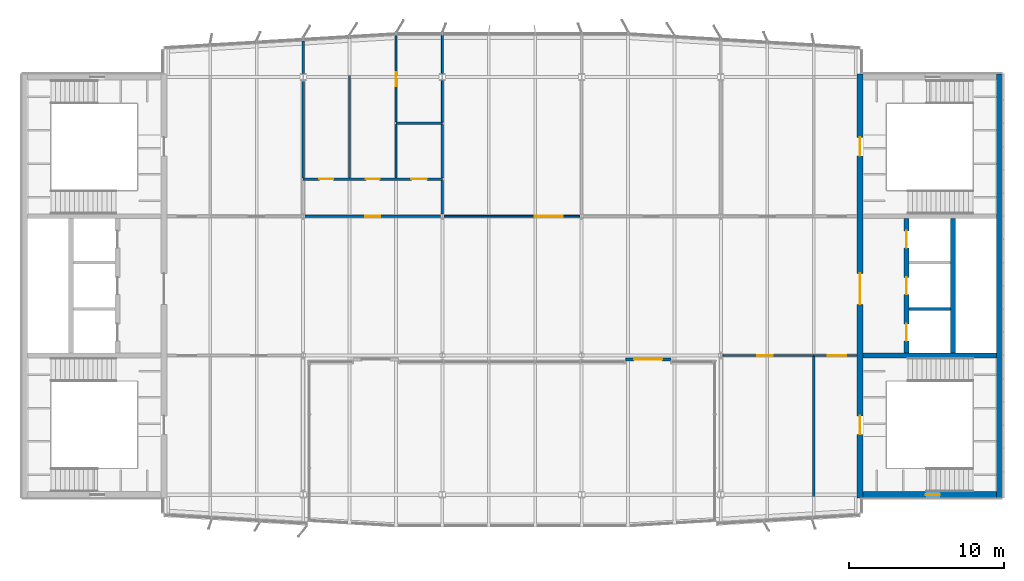
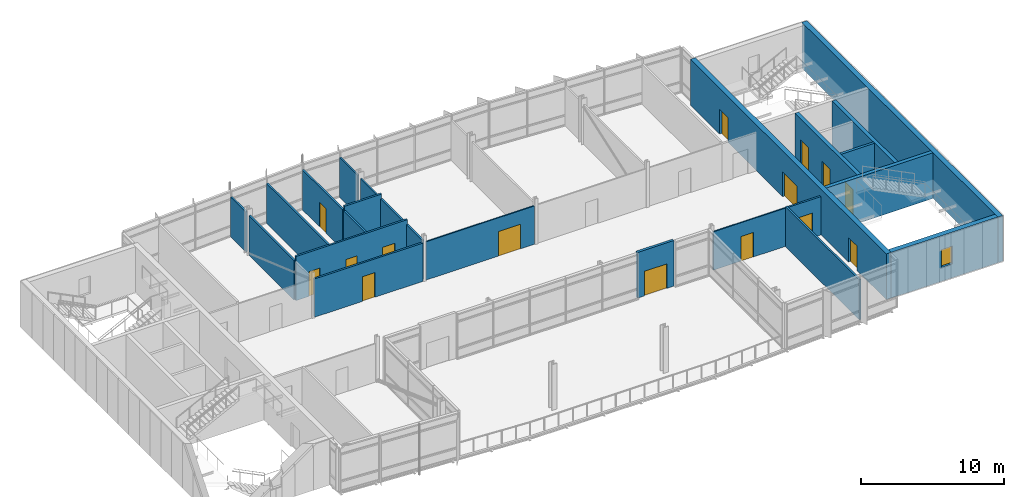
# One storey, part 13 of 19: 24 walls, 15 doors, 1 window, 16 openings.
"""IFC4 building model written with IfcOpenShell, lengths in metres."""

from ifc_helpers import new_model, si_unit, direction, frame, frame_2d, origin, place, context, subcontext, project, spatial, rectangle, extrude, material, layer, layer_set, type_object, element, fill, save


model = new_model("IFC4")

# Units and contexts
model_context = context("Model", 3, precision=1e-05, world=origin(), true_north=direction((0.0, 1.0)))
body_context = subcontext(model_context, "Body", "Model", "MODEL_VIEW")
ifc_project = project(units=[si_unit("LENGTHUNIT", "METRE"), si_unit("AREAUNIT", "SQUARE_METRE"), si_unit("VOLUMEUNIT", "CUBIC_METRE"), si_unit("PLANEANGLEUNIT", "RADIAN"), si_unit("MASSUNIT", "GRAM", prefix="KILO")], contexts=[model_context])

# Site, building, storey
site_placement = place(None, origin())
site = spatial("IfcSite", under=ifc_project, at=site_placement, CompositionType="ELEMENT")
building_placement = place(site_placement, origin())
building = spatial("IfcBuilding", under=site, at=building_placement, Name="Azimuth Sports and Learning Centre", CompositionType="ELEMENT")
storey_placement = place(building_placement, frame((0.0, 0.0, 67.5)))
storey = spatial("IfcBuildingStorey", under=building, at=storey_placement, Name="L15", CompositionType="ELEMENT", Elevation=67.5)

# Wall
ifc_material_1 = material(Name="Dense masonry blockwork", Category="masonry")
ifc_layer_1 = layer(ifc_material_1, 0.199951171875)
ifc_layer_set_1 = layer_set([ifc_layer_1], Name="Dense masonry blockwork")
wall_type_1 = type_object("IfcWallType", Name="Blockwork wall 200 EI 120", PredefinedType="SOLIDWALL", material=ifc_layer_set_1)
wall_1_placement = place(storey_placement, frame((111.14990234375, 102.0, 0.0), z_axis=(0.0, 0.0, 1.0), x_axis=(1.0, 0.0, 0.0)))
element("IfcWall", 1, at=wall_1_placement, inside=storey, type_object=wall_type_1, Name="SD-E-1-L15", PredefinedType="SOLIDWALL", context=body_context, shape_type="SweptSolid", body=[
    extrude(rectangle(XDim=2.7001953125, YDim=0.199951171875, at=frame_2d((1.35009765625, 0.0))), origin(), (0.0, 0.0, 1.0), 3.89990234375),
])

# Wall, opening, door
ifc_material_2 = material(Name="Insulated cladding wall")
ifc_layer_2 = layer(ifc_material_2, 0.199951171875)
ifc_layer_set_2 = layer_set([ifc_layer_2], Name="Insulated cladding wall")
wall_type_2 = type_object("IfcWallType", Name="Entrance wall 200", PredefinedType="SOLIDWALL", material=ifc_layer_set_2)
wall_2_placement = place(storey_placement, frame((92.833251953125, 98.75, 0.0), z_axis=(0.0, 0.0, 1.0), x_axis=(1.0, 0.0, 0.0)))
wall_2 = element("IfcWall", 2, at=wall_2_placement, inside=storey, type_object=wall_type_2, Name="Entrance wall S-COURT-B L15", PredefinedType="SOLIDWALL", context=body_context, shape_type="SweptSolid", body=[
    extrude(rectangle(XDim=2.933349609375, YDim=0.199951171875, at=frame_2d((1.466796875, 0.0))), origin(), (0.0, 0.0, 1.0), 3.89990234375),
])
opening_1_placement = place(wall_2_placement, frame((0.566650390625, 0.0, 0.0)))
opening_1 = element("IfcOpeningElement", 3, at=opening_1_placement, cuts=wall_2, Name="Opening D15-002", PredefinedType="OPENING", context=body_context, shape_type="SweptSolid", body=[
    extrude(rectangle(XDim=1.800048828125, YDim=2.10009765625, at=frame_2d((0.89990234375, 1.050048828125))), frame((0.0, 0.11083984375, 0.0), z_axis=(0.0, -1.0, 0.0), x_axis=(1.0, 0.0, 0.0)), (0.0, 0.0, 1.0), 0.221923828125),
])
ifc_material_3 = material(Name="Aluminium and glass", Category="aluminium")
door_type_1 = type_object("IfcDoorType", Name="Exterior door double leaf 1800x2100", OperationType="DOUBLE_DOOR_DOUBLE_SWING", PredefinedType="DOOR", material=ifc_material_3)
door_1_placement = place(opening_1_placement, frame((1.800048828125, 0.0, 0.0), z_axis=(0.0, 0.0, 1.0), x_axis=(-1.0, 0.0, 0.0)))
door_1 = element("IfcDoor", 4, at=door_1_placement, inside=storey, type_object=door_type_1, Name="Exterior door D15-002", OperationType="DOUBLE_DOOR_DOUBLE_SWING", OverallHeight=2.10009765625, OverallWidth=1.800048828125, PredefinedType="DOOR", context=body_context, shape_type="SweptSolid", body=[
    extrude(rectangle(XDim=1.800048828125, YDim=2.10009765625, at=frame_2d((0.89990234375, 1.050048828125))), frame((0.0, 0.02490234375, 0.0), z_axis=(0.0, -1.0, 0.0), x_axis=(1.0, 0.0, 0.0)), (0.0, 0.0, 1.0), 0.050048828125),
])
fill(opening_1, door_1)

ifc_material_4 = material(Name="Gypsum board on steel studs", Category="steel")
ifc_layer_3 = layer(ifc_material_4, 0.10009765625)
ifc_layer_set_3 = layer_set([ifc_layer_3], Name="Gypsum board on steel studs")
wall_type_3 = type_object("IfcWallType", Name="Partition 100 EI 30", PredefinedType="PARTITIONING", material=ifc_layer_set_3)
wall_3_placement = place(storey_placement, frame((99.1298828125, 99.0, 0.0), z_axis=(0.0, 0.0, 1.0), x_axis=(1.0, 0.0, 0.0)))
wall_3 = element("IfcWall", 5, at=wall_3_placement, inside=storey, type_object=wall_type_3, Name="Partition Seminar Room 15.08 / Learning Street", PredefinedType="PARTITIONING", context=body_context, shape_type="SweptSolid", body=[
    extrude(rectangle(XDim=5.8701171875, YDim=0.10009765625, at=frame_2d((2.93505859375, 0.0))), origin(), (0.0, 0.0, 1.0), 3.27001953125),
])
opening_2_placement = place(wall_3_placement, frame((2.219970703125, 0.0, 0.0)))
opening_2 = element("IfcOpeningElement", 6, at=opening_2_placement, cuts=wall_3, Name="Opening D15-018", PredefinedType="OPENING", context=body_context, shape_type="SweptSolid", body=[
    extrude(rectangle(XDim=1.0, YDim=2.10009765625, at=frame_2d((0.5, 1.050048828125))), frame((0.0, 0.06103515625, 0.0), z_axis=(0.0, -1.0, 0.0), x_axis=(1.0, 0.0, 0.0)), (0.0, 0.0, 1.0), 0.1220703125),
])
ifc_material_5 = material(Name="Painted steel door set", Category="steel")
door_type_2 = type_object("IfcDoorType", Name="Fire door FD30S 1000 x 2100", OperationType="NOTDEFINED", PredefinedType="DOOR", material=ifc_material_5)
door_2_placement = place(opening_2_placement, frame((1.0, 0.0, 0.0), z_axis=(0.0, 0.0, 1.0), x_axis=(-1.0, 0.0, 0.0)))
door_2 = element("IfcDoor", 7, at=door_2_placement, inside=storey, type_object=door_type_2, Name="Door Seminar Room 15.08 / Learning Street", OperationType="SINGLE_SWING_RIGHT", OverallHeight=2.10009765625, OverallWidth=1.0, PredefinedType="DOOR", context=body_context, shape_type="SweptSolid", body=[
    extrude(rectangle(XDim=1.0, YDim=2.10009765625, at=frame_2d((0.5, 1.050048828125))), frame((0.0, 0.02490234375, 0.0), z_axis=(0.0, -1.0, 0.0), x_axis=(1.0, 0.0, 0.0)), (0.0, 0.0, 1.0), 0.050048828125),
])
fill(opening_2, door_2)

wall_4_placement = place(storey_placement, frame((81.1298828125, 108.0, 0.0), z_axis=(0.0, 0.0, 1.0), x_axis=(1.0, 0.0, 0.0)))
wall_4 = element("IfcWall", 8, at=wall_4_placement, inside=storey, type_object=wall_type_3, Name="Partition Sixth Form Seminar Room 15.15 / Quiet Study Room 15.16", PredefinedType="PARTITIONING", context=body_context, shape_type="SweptSolid", body=[
    extrude(rectangle(XDim=8.740234375, YDim=0.10009765625, at=frame_2d((4.3701171875, 0.0))), origin(), (0.0, 0.0, 1.0), 3.27001953125),
])
opening_3_placement = place(wall_4_placement, frame((5.844970703125, 0.0, 0.0)))
opening_3 = element("IfcOpeningElement", 9, at=opening_3_placement, cuts=wall_4, Name="Opening D15-021", PredefinedType="OPENING", context=body_context, shape_type="SweptSolid", body=[
    extrude(rectangle(XDim=1.800048828125, YDim=2.10009765625, at=frame_2d((0.89990234375, 1.050048828125))), frame((0.0, 0.06103515625, 0.0), z_axis=(0.0, -1.0, 0.0), x_axis=(1.0, 0.0, 0.0)), (0.0, 0.0, 1.0), 0.1220703125),
])
ifc_material_6 = material(Name="Painted steel door set", Category="steel")
door_type_3 = type_object("IfcDoorType", Name="Fire door FD30S 1800 x 2100 double leaf", OperationType="DOUBLE_DOOR_SINGLE_SWING", PredefinedType="DOOR", material=ifc_material_6)
door_3_placement = place(opening_3_placement, origin())
door_3 = element("IfcDoor", 10, at=door_3_placement, inside=storey, type_object=door_type_3, Name="Door Sixth Form Seminar Room 15.15 / Learning Street", OperationType="DOUBLE_DOOR_SINGLE_SWING", OverallHeight=2.10009765625, OverallWidth=1.800048828125, PredefinedType="DOOR", context=body_context, shape_type="SweptSolid", body=[
    extrude(rectangle(XDim=1.800048828125, YDim=2.10009765625, at=frame_2d((0.89990234375, 1.050048828125))), frame((0.0, 0.02490234375, 0.0), z_axis=(0.0, -1.0, 0.0), x_axis=(1.0, 0.0, 0.0)), (0.0, 0.0, 1.0), 0.050048828125),
])
fill(opening_3, door_3)

# Walls
ifc_material_7 = material(Name="Gypsum board on steel studs, acoustic", Category="steel")
ifc_layer_4 = layer(ifc_material_7, 0.125)
ifc_layer_set_4 = layer_set([ifc_layer_4], Name="Gypsum board on steel studs, acoustic")
wall_type_4 = type_object("IfcWallType", Name="Partition 125 EI 60", PredefinedType="PARTITIONING", material=ifc_layer_set_4)
wall_5_placement = place(storey_placement, frame((81.0, 114.074951171875, 0.0), z_axis=(0.0, 0.0, 1.0), x_axis=(0.0, 1.0, 0.0)))
element("IfcWall", 11, at=wall_5_placement, inside=storey, type_object=wall_type_4, Name="Partition Cleaner Store 15.14 / Sixth Form Seminar Room 15.15", PredefinedType="PARTITIONING", context=body_context, shape_type="SweptSolid", body=[
    extrude(rectangle(XDim=2.70751953125, YDim=0.125, at=frame_2d((1.353759765625, 0.0))), origin(), (0.0, 0.0, 1.0), 3.3701171875),
])
wall_6_placement = place(storey_placement, frame((81.0, 117.217529296875, 0.0), z_axis=(0.0, 0.0, 1.0), x_axis=(0.0, 1.0, 0.0)))
element("IfcWall", 12, at=wall_6_placement, inside=storey, type_object=wall_type_4, Name="Partition Cleaner Store 15.14 / Sixth Form Seminar Room 15.15", PredefinedType="PARTITIONING", context=body_context, shape_type="SweptSolid", body=[
    extrude(rectangle(XDim=2.482421875, YDim=0.125, at=frame_2d((1.2412109375, 0.0))), origin(), (0.0, 0.0, 1.0), 3.409912109375),
])

# Wall, opening, door
ifc_material_8 = material(Name="Lightweight blockwork, rendered", Category="masonry")
ifc_layer_5 = layer(ifc_material_8, 0.14990234375)
ifc_layer_set_5 = layer_set([ifc_layer_5], Name="Lightweight blockwork, rendered")
wall_type_5 = type_object("IfcWallType", Name="Partition 150 EI 60", PredefinedType="PARTITIONING", material=ifc_layer_set_5)
wall_7_placement = place(storey_placement, frame((105.0, 99.0, 0.0), z_axis=(0.0, 0.0, 1.0), x_axis=(1.0, 0.0, 0.0)))
wall_7 = element("IfcWall", 13, at=wall_7_placement, inside=storey, type_object=wall_type_5, Name="Partition Stair Lobby E1 15.03 / Learning Street", PredefinedType="PARTITIONING", context=body_context, shape_type="SweptSolid", body=[
    extrude(rectangle(XDim=2.800048828125, YDim=0.14990234375, at=frame_2d((1.39990234375, 0.0))), origin(), (0.0, 0.0, 1.0), 3.27001953125),
])
opening_4_placement = place(wall_7_placement, frame((0.89990234375, 0.0, 0.0)))
opening_4 = element("IfcOpeningElement", 14, at=opening_4_placement, cuts=wall_7, Name="Opening D15-015", PredefinedType="OPENING", context=body_context, shape_type="SweptSolid", body=[
    extrude(rectangle(XDim=1.199951171875, YDim=2.10009765625, at=frame_2d((0.60009765625, 1.050048828125))), frame((0.0, 0.0859375, 0.0), z_axis=(0.0, -1.0, 0.0), x_axis=(1.0, 0.0, 0.0)), (0.0, 0.0, 1.0), 0.171875),
])
ifc_material_9 = material(Name="Painted steel door set", Category="steel")
door_type_4 = type_object("IfcDoorType", Name="Fire door FD60 1200 x 2100", OperationType="NOTDEFINED", PredefinedType="DOOR", material=ifc_material_9)
door_4_placement = place(opening_4_placement, frame((1.199951171875, 0.0, 0.0), z_axis=(0.0, 0.0, 1.0), x_axis=(-1.0, 0.0, 0.0)))
door_4 = element("IfcDoor", 15, at=door_4_placement, inside=storey, type_object=door_type_4, Name="Door Stair Lobby E1 15.03 / Learning Street", OperationType="SINGLE_SWING_LEFT", OverallHeight=2.10009765625, OverallWidth=1.199951171875, PredefinedType="DOOR", context=body_context, shape_type="SweptSolid", body=[
    extrude(rectangle(XDim=1.199951171875, YDim=2.10009765625, at=frame_2d((0.60009765625, 1.050048828125))), frame((0.0, 0.02490234375, 0.0), z_axis=(0.0, -1.0, 0.0), x_axis=(1.0, 0.0, 0.0)), (0.0, 0.0, 1.0), 0.050048828125),
])
fill(opening_4, door_4)

wall_8_placement = place(storey_placement, frame((72.1298828125, 108.0, 0.0), z_axis=(0.0, 0.0, 1.0), x_axis=(1.0, 0.0, 0.0)))
wall_8 = element("IfcWall", 16, at=wall_8_placement, inside=storey, type_object=wall_type_5, Name="Partition WC Lobby 15.10 / Learning Street", PredefinedType="PARTITIONING", context=body_context, shape_type="SweptSolid", body=[
    extrude(rectangle(XDim=8.740234375, YDim=0.14990234375, at=frame_2d((4.3701171875, 0.0))), origin(), (0.0, 0.0, 1.0), 3.27001953125),
])
opening_5_placement = place(wall_8_placement, frame((3.8701171875, 0.0, 0.0)))
opening_5 = element("IfcOpeningElement", 17, at=opening_5_placement, cuts=wall_8, Name="Opening D15-020", PredefinedType="OPENING", context=body_context, shape_type="SweptSolid", body=[
    extrude(rectangle(XDim=1.0, YDim=2.10009765625, at=frame_2d((0.5, 1.050048828125))), frame((0.0, 0.0859375, 0.0), z_axis=(0.0, -1.0, 0.0), x_axis=(1.0, 0.0, 0.0)), (0.0, 0.0, 1.0), 0.171875),
])
ifc_material_10 = material(Name="Painted steel door set", Category="steel")
door_type_5 = type_object("IfcDoorType", Name="Fire door FD60 1000 x 2100", OperationType="NOTDEFINED", PredefinedType="DOOR", material=ifc_material_10)
door_5_placement = place(opening_5_placement, origin())
door_5 = element("IfcDoor", 18, at=door_5_placement, inside=storey, type_object=door_type_5, Name="Door WC Lobby 15.10 / Learning Street", OperationType="SINGLE_SWING_LEFT", OverallHeight=2.10009765625, OverallWidth=1.0, PredefinedType="DOOR", context=body_context, shape_type="SweptSolid", body=[
    extrude(rectangle(XDim=1.0, YDim=2.10009765625, at=frame_2d((0.5, 1.050048828125))), frame((0.0, 0.02490234375, 0.0), z_axis=(0.0, -1.0, 0.0), x_axis=(1.0, 0.0, 0.0)), (0.0, 0.0, 1.0), 0.050048828125),
])
fill(opening_5, door_5)

# Wall, openings, doors
wall_9_placement = place(storey_placement, frame((72.0, 110.39990234375, 0.0), z_axis=(0.0, 0.0, 1.0), x_axis=(1.0, 0.0, 0.0)))
wall_9 = element("IfcWall", 19, at=wall_9_placement, inside=storey, type_object=wall_type_5, Name="Partition WC Lobby 15.10 / Men WC 15.11", PredefinedType="PARTITIONING", context=body_context, shape_type="SweptSolid", body=[
    extrude(rectangle(XDim=9.0, YDim=0.14990234375, at=frame_2d((4.5, 0.0))), origin(), (0.0, 0.0, 1.0), 3.77001953125),
])
opening_6_placement = place(wall_9_placement, frame((1.050048828125, 0.0, 0.0)))
opening_6 = element("IfcOpeningElement", 20, at=opening_6_placement, cuts=wall_9, Name="Opening D15-024", PredefinedType="OPENING", context=body_context, shape_type="SweptSolid", body=[
    extrude(rectangle(XDim=0.89990234375, YDim=2.10009765625, at=frame_2d((0.449951171875, 1.050048828125))), frame((0.0, 0.0859375, 0.0), z_axis=(0.0, -1.0, 0.0), x_axis=(1.0, 0.0, 0.0)), (0.0, 0.0, 1.0), 0.171875),
])
opening_7_placement = place(wall_9_placement, frame((4.050048828125, 0.0, 0.0)))
opening_7 = element("IfcOpeningElement", 21, at=opening_7_placement, cuts=wall_9, Name="Opening D15-025", PredefinedType="OPENING", context=body_context, shape_type="SweptSolid", body=[
    extrude(rectangle(XDim=0.89990234375, YDim=2.10009765625, at=frame_2d((0.449951171875, 1.050048828125))), frame((0.0, 0.0859375, 0.0), z_axis=(0.0, -1.0, 0.0), x_axis=(1.0, 0.0, 0.0)), (0.0, 0.0, 1.0), 0.171875),
])
opening_8_placement = place(wall_9_placement, frame((7.0, 0.0, 0.0)))
opening_8 = element("IfcOpeningElement", 22, at=opening_8_placement, cuts=wall_9, Name="Opening D15-026", PredefinedType="OPENING", context=body_context, shape_type="SweptSolid", body=[
    extrude(rectangle(XDim=1.0, YDim=2.10009765625, at=frame_2d((0.5, 1.050048828125))), frame((0.0, 0.0859375, 0.0), z_axis=(0.0, -1.0, 0.0), x_axis=(1.0, 0.0, 0.0)), (0.0, 0.0, 1.0), 0.171875),
])
door_6_placement = place(opening_8_placement, origin())
door_6 = element("IfcDoor", 23, at=door_6_placement, inside=storey, type_object=door_type_5, Name="Door WC Lobby 15.10 / Accessible WC 15.13", OperationType="SINGLE_SWING_LEFT", OverallHeight=2.10009765625, OverallWidth=1.0, PredefinedType="DOOR", context=body_context, shape_type="SweptSolid", body=[
    extrude(rectangle(XDim=1.0, YDim=2.10009765625, at=frame_2d((0.5, 1.050048828125))), frame((0.0, 0.02490234375, 0.0), z_axis=(0.0, -1.0, 0.0), x_axis=(1.0, 0.0, 0.0)), (0.0, 0.0, 1.0), 0.050048828125),
])
fill(opening_8, door_6)
ifc_material_11 = material(Name="Painted steel door set", Category="steel")
door_type_6 = type_object("IfcDoorType", Name="Fire door FD60 900 x 2100", OperationType="NOTDEFINED", PredefinedType="DOOR", material=ifc_material_11)
door_7_placement = place(opening_6_placement, frame((0.89990234375, 0.0, 0.0), z_axis=(0.0, 0.0, 1.0), x_axis=(-1.0, 0.0, 0.0)))
door_7 = element("IfcDoor", 24, at=door_7_placement, inside=storey, type_object=door_type_6, Name="Door WC Lobby 15.10 / Men WC 15.11", OperationType="SINGLE_SWING_RIGHT", OverallHeight=2.10009765625, OverallWidth=0.89990234375, PredefinedType="DOOR", context=body_context, shape_type="SweptSolid", body=[
    extrude(rectangle(XDim=0.89990234375, YDim=2.10009765625, at=frame_2d((0.449951171875, 1.050048828125))), frame((0.0, 0.02490234375, 0.0), z_axis=(0.0, -1.0, 0.0), x_axis=(1.0, 0.0, 0.0)), (0.0, 0.0, 1.0), 0.050048828125),
])
fill(opening_6, door_7)
door_8_placement = place(opening_7_placement, frame((0.89990234375, 0.0, 0.0), z_axis=(0.0, 0.0, 1.0), x_axis=(-1.0, 0.0, 0.0)))
door_8 = element("IfcDoor", 25, at=door_8_placement, inside=storey, type_object=door_type_6, Name="Door WC Lobby 15.10 / Women WC 15.12", OperationType="SINGLE_SWING_RIGHT", OverallHeight=2.10009765625, OverallWidth=0.89990234375, PredefinedType="DOOR", context=body_context, shape_type="SweptSolid", body=[
    extrude(rectangle(XDim=0.89990234375, YDim=2.10009765625, at=frame_2d((0.449951171875, 1.050048828125))), frame((0.0, 0.02490234375, 0.0), z_axis=(0.0, -1.0, 0.0), x_axis=(1.0, 0.0, 0.0)), (0.0, 0.0, 1.0), 0.050048828125),
])
fill(opening_7, door_8)

# Walls
wall_10_placement = place(storey_placement, frame((78.0, 114.0, 0.0), z_axis=(0.0, 0.0, 1.0), x_axis=(1.0, 0.0, 0.0)))
element("IfcWall", 26, at=wall_10_placement, inside=storey, type_object=wall_type_5, Name="Partition Accessible WC 15.13 / Cleaner Store 15.14", PredefinedType="PARTITIONING", context=body_context, shape_type="SweptSolid", body=[
    extrude(rectangle(XDim=3.0, YDim=0.14990234375, at=frame_2d((1.5, 0.0))), origin(), (0.0, 0.0, 1.0), 3.77001953125),
])
wall_11_placement = place(storey_placement, frame((72.0, 110.47509765625, 0.0), z_axis=(0.0, 0.0, 1.0), x_axis=(0.0, 1.0, 0.0)))
element("IfcWall", 27, at=wall_11_placement, inside=storey, type_object=wall_type_5, Name="Partition Classroom 15.09 / WC Lobby 15.10", PredefinedType="PARTITIONING", context=body_context, shape_type="SweptSolid", body=[
    extrude(rectangle(XDim=6.307373046875, YDim=0.14990234375, at=frame_2d((3.15380859375, 0.0))), origin(), (0.0, 0.0, 1.0), 3.3701171875),
])
wall_12_placement = place(storey_placement, frame((72.0, 117.217529296875, 0.0), z_axis=(0.0, 0.0, 1.0), x_axis=(0.0, 1.0, 0.0)))
element("IfcWall", 28, at=wall_12_placement, inside=storey, type_object=wall_type_5, Name="Partition Classroom 15.09 / WC Lobby 15.10", PredefinedType="PARTITIONING", context=body_context, shape_type="SweptSolid", body=[
    extrude(rectangle(XDim=2.12255859375, YDim=0.14990234375, at=frame_2d((1.061279296875, 0.0))), origin(), (0.0, 0.0, 1.0), 3.409912109375),
])
wall_13_placement = place(storey_placement, frame((75.0, 110.47509765625, 0.0), z_axis=(0.0, 0.0, 1.0), x_axis=(0.0, 1.0, 0.0)))
element("IfcWall", 29, at=wall_13_placement, inside=storey, type_object=wall_type_5, Name="Partition Men WC 15.11 / Women WC 15.12", PredefinedType="PARTITIONING", context=body_context, shape_type="SweptSolid", body=[
    extrude(rectangle(XDim=9.044921875, YDim=0.14990234375, at=frame_2d((4.5224609375, 0.0))), origin(), (0.0, 0.0, 1.0), 3.409912109375),
])
wall_14_placement = place(storey_placement, frame((78.0, 110.47509765625, 0.0), z_axis=(0.0, 0.0, 1.0), x_axis=(0.0, 1.0, 0.0)))
element("IfcWall", 30, at=wall_14_placement, inside=storey, type_object=wall_type_5, Name="Partition Women WC 15.12 / Accessible WC 15.13", PredefinedType="PARTITIONING", context=body_context, shape_type="SweptSolid", body=[
    extrude(rectangle(XDim=3.449951171875, YDim=0.14990234375, at=frame_2d((1.72509765625, 0.0))), origin(), (0.0, 0.0, 1.0), 3.409912109375),
])

# Wall, opening, door
wall_15_placement = place(storey_placement, frame((78.0, 114.074951171875, 0.0), z_axis=(0.0, 0.0, 1.0), x_axis=(0.0, 1.0, 0.0)))
wall_15 = element("IfcWall", 31, at=wall_15_placement, inside=storey, type_object=wall_type_5, Name="Partition Women WC 15.12 / Accessible WC 15.13", PredefinedType="PARTITIONING", context=body_context, shape_type="SweptSolid", body=[
    extrude(rectangle(XDim=5.625, YDim=0.14990234375, at=frame_2d((2.8125, 0.0))), origin(), (0.0, 0.0, 1.0), 3.409912109375),
])
opening_9_placement = place(wall_15_placement, frame((2.324951171875, 0.0, 0.0)))
opening_9 = element("IfcOpeningElement", 32, at=opening_9_placement, cuts=wall_15, Name="Opening D15-027", PredefinedType="OPENING", context=body_context, shape_type="SweptSolid", body=[
    extrude(rectangle(XDim=0.89990234375, YDim=2.10009765625, at=frame_2d((0.449951171875, 1.050048828125))), frame((0.0, 0.0859375, 0.0), z_axis=(0.0, -1.0, 0.0), x_axis=(1.0, 0.0, 0.0)), (0.0, 0.0, 1.0), 0.171875),
])
door_9_placement = place(opening_9_placement, frame((0.89990234375, 0.0, 0.0), z_axis=(0.0, 0.0, 1.0), x_axis=(-1.0, 0.0, 0.0)))
door_9 = element("IfcDoor", 33, at=door_9_placement, inside=storey, type_object=door_type_6, Name="Door Women WC 15.12 / Cleaner Store 15.14", OperationType="SINGLE_SWING_RIGHT", OverallHeight=2.10009765625, OverallWidth=0.89990234375, PredefinedType="DOOR", context=body_context, shape_type="SweptSolid", body=[
    extrude(rectangle(XDim=0.89990234375, YDim=2.10009765625, at=frame_2d((0.449951171875, 1.050048828125))), frame((0.0, 0.02490234375, 0.0), z_axis=(0.0, -1.0, 0.0), x_axis=(1.0, 0.0, 0.0)), (0.0, 0.0, 1.0), 0.050048828125),
])
fill(opening_9, door_9)

# Walls
wall_16_placement = place(storey_placement, frame((81.0, 108.1298828125, 0.0), z_axis=(0.0, 0.0, 1.0), x_axis=(0.0, 1.0, 0.0)))
element("IfcWall", 34, at=wall_16_placement, inside=storey, type_object=wall_type_5, Name="Partition WC Lobby 15.10 / Accessible WC 15.13", PredefinedType="PARTITIONING", context=body_context, shape_type="SweptSolid", body=[
    extrude(rectangle(XDim=2.195068359375, YDim=0.14990234375, at=frame_2d((1.09765625, 0.0))), origin(), (0.0, 0.0, 1.0), 3.3701171875),
])
wall_17_placement = place(storey_placement, frame((81.0, 110.47509765625, 0.0), z_axis=(0.0, 0.0, 1.0), x_axis=(0.0, 1.0, 0.0)))
element("IfcWall", 35, at=wall_17_placement, inside=storey, type_object=wall_type_5, Name="Partition WC Lobby 15.10 / Accessible WC 15.13", PredefinedType="PARTITIONING", context=body_context, shape_type="SweptSolid", body=[
    extrude(rectangle(XDim=3.449951171875, YDim=0.14990234375, at=frame_2d((1.72509765625, 0.0))), origin(), (0.0, 0.0, 1.0), 3.3701171875),
])
wall_18_placement = place(storey_placement, frame((105.0, 88.6201171875, 0.0), z_axis=(0.0, 0.0, 1.0), x_axis=(0.0, 1.0, 0.0)))
element("IfcWall", 36, at=wall_18_placement, inside=storey, type_object=wall_type_5, Name="Partition Stair Lobby E1 15.03 / Seminar Room 15.08", PredefinedType="PARTITIONING", context=body_context, shape_type="SweptSolid", body=[
    extrude(rectangle(XDim=10.304931640625, YDim=0.14990234375, at=frame_2d((5.15234375, 0.0))), origin(), (0.0, 0.0, 1.0), 3.409912109375),
])
ifc_material_12 = material(Name="Concrete C40/50", Category="concrete")
ifc_layer_6 = layer(ifc_material_12, 0.300048828125)
ifc_layer_set_6 = layer_set([ifc_layer_6], Name="Concrete C40/50")
wall_type_6 = type_object("IfcWallType", Name="RC core wall 300", PredefinedType="SHEAR", material=ifc_layer_set_6)
wall_19_placement = place(storey_placement, frame((108.199951171875, 99.0, 0.0), z_axis=(0.0, 0.0, 1.0), x_axis=(1.0, 0.0, 0.0)))
element("IfcWall", 37, at=wall_19_placement, inside=storey, type_object=wall_type_6, Name="Core wall E D1 L15", PredefinedType="SHEAR", context=body_context, shape_type="SweptSolid", body=[
    extrude(rectangle(XDim=8.60009765625, YDim=0.300048828125, at=frame_2d((4.300048828125, 0.0))), origin(), (0.0, 0.0, 1.0), 3.89990234375),
])

# Wall, openings, doors
wall_20_placement = place(storey_placement, frame((111.0, 99.14990234375, 0.0), z_axis=(0.0, 0.0, 1.0), x_axis=(0.0, 1.0, 0.0)))
wall_20 = element("IfcWall", 38, at=wall_20_placement, inside=storey, type_object=wall_type_6, Name="Core wall E LB1 L15", PredefinedType="SHEAR", context=body_context, shape_type="SweptSolid", body=[
    extrude(rectangle(XDim=8.7001953125, YDim=0.300048828125, at=frame_2d((4.35009765625, 0.0))), origin(), (0.0, 0.0, 1.0), 3.89990234375),
])
opening_10_placement = place(wall_20_placement, frame((0.800048828125, 0.0, 0.0)))
opening_10 = element("IfcOpeningElement", 39, at=opening_10_placement, cuts=wall_20, Name="Opening D15-010", PredefinedType="OPENING", context=body_context, shape_type="SweptSolid", body=[
    extrude(rectangle(XDim=1.10009765625, YDim=2.10009765625, at=frame_2d((0.550048828125, 1.050048828125))), frame((0.0, 0.1611328125, 0.0), z_axis=(0.0, -1.0, 0.0), x_axis=(1.0, 0.0, 0.0)), (0.0, 0.0, 1.0), 0.322021484375),
])
opening_11_placement = place(wall_20_placement, frame((3.800048828125, 0.0, 0.0)))
opening_11 = element("IfcOpeningElement", 40, at=opening_11_placement, cuts=wall_20, Name="Opening D15-011", PredefinedType="OPENING", context=body_context, shape_type="SweptSolid", body=[
    extrude(rectangle(XDim=1.10009765625, YDim=2.10009765625, at=frame_2d((0.550048828125, 1.050048828125))), frame((0.0, 0.1611328125, 0.0), z_axis=(0.0, -1.0, 0.0), x_axis=(1.0, 0.0, 0.0)), (0.0, 0.0, 1.0), 0.322021484375),
])
opening_12_placement = place(wall_20_placement, frame((6.800048828125, 0.0, 0.0)))
opening_12 = element("IfcOpeningElement", 41, at=opening_12_placement, cuts=wall_20, Name="Opening D15-012", PredefinedType="OPENING", context=body_context, shape_type="SweptSolid", body=[
    extrude(rectangle(XDim=1.10009765625, YDim=2.10009765625, at=frame_2d((0.550048828125, 1.050048828125))), frame((0.0, 0.1611328125, 0.0), z_axis=(0.0, -1.0, 0.0), x_axis=(1.0, 0.0, 0.0)), (0.0, 0.0, 1.0), 0.322021484375),
])
ifc_material_13 = material(Name="Stainless steel", Category="steel")
door_type_7 = type_object("IfcDoorType", Name="Lift landing door 1100 x 2100", OperationType="DOUBLE_DOOR_SLIDING", PredefinedType="DOOR", material=ifc_material_13)
door_10_placement = place(opening_10_placement, origin())
door_10 = element("IfcDoor", 42, at=door_10_placement, inside=storey, type_object=door_type_7, Name="Landing door LE1 L15", OperationType="DOUBLE_DOOR_SLIDING", OverallHeight=2.10009765625, OverallWidth=1.10009765625, PredefinedType="DOOR", context=body_context, shape_type="SweptSolid", body=[
    extrude(rectangle(XDim=1.10009765625, YDim=2.10009765625, at=frame_2d((0.550048828125, 1.050048828125))), frame((0.0, 0.02490234375, 0.0), z_axis=(0.0, -1.0, 0.0), x_axis=(1.0, 0.0, 0.0)), (0.0, 0.0, 1.0), 0.050048828125),
])
fill(opening_10, door_10)
door_11_placement = place(opening_11_placement, origin())
door_11 = element("IfcDoor", 43, at=door_11_placement, inside=storey, type_object=door_type_7, Name="Landing door LE2 L15", OperationType="DOUBLE_DOOR_SLIDING", OverallHeight=2.10009765625, OverallWidth=1.10009765625, PredefinedType="DOOR", context=body_context, shape_type="SweptSolid", body=[
    extrude(rectangle(XDim=1.10009765625, YDim=2.10009765625, at=frame_2d((0.550048828125, 1.050048828125))), frame((0.0, 0.02490234375, 0.0), z_axis=(0.0, -1.0, 0.0), x_axis=(1.0, 0.0, 0.0)), (0.0, 0.0, 1.0), 0.050048828125),
])
fill(opening_11, door_11)
door_12_placement = place(opening_12_placement, origin())
door_12 = element("IfcDoor", 44, at=door_12_placement, inside=storey, type_object=door_type_7, Name="Landing door LE3 L15", OperationType="DOUBLE_DOOR_SLIDING", OverallHeight=2.10009765625, OverallWidth=1.10009765625, PredefinedType="DOOR", context=body_context, shape_type="SweptSolid", body=[
    extrude(rectangle(XDim=1.10009765625, YDim=2.10009765625, at=frame_2d((0.550048828125, 1.050048828125))), frame((0.0, 0.02490234375, 0.0), z_axis=(0.0, -1.0, 0.0), x_axis=(1.0, 0.0, 0.0)), (0.0, 0.0, 1.0), 0.050048828125),
])
fill(opening_12, door_12)

# Wall
wall_21_placement = place(storey_placement, frame((114.0, 99.14990234375, 0.0), z_axis=(0.0, 0.0, 1.0), x_axis=(0.0, 1.0, 0.0)))
element("IfcWall", 45, at=wall_21_placement, inside=storey, type_object=wall_type_6, Name="Core wall E LB2 L15", PredefinedType="SHEAR", context=body_context, shape_type="SweptSolid", body=[
    extrude(rectangle(XDim=8.7001953125, YDim=0.300048828125, at=frame_2d((4.35009765625, 0.0))), origin(), (0.0, 0.0, 1.0), 3.89990234375),
])

# Wall, openings, doors
ifc_material_14 = material(Name="Concrete C40/50", Category="concrete")
ifc_layer_7 = layer(ifc_material_14, 0.39990234375)
ifc_layer_set_7 = layer_set([ifc_layer_7], Name="Concrete C40/50")
wall_type_7 = type_object("IfcWallType", Name="RC core wall 400", PredefinedType="SHEAR", material=ifc_layer_set_7)
wall_22_placement = place(storey_placement, frame((108.0, 89.800048828125, 0.0), z_axis=(0.0, 0.0, 1.0), x_axis=(0.0, 1.0, 0.0)))
wall_22 = element("IfcWall", 46, at=wall_22_placement, inside=storey, type_object=wall_type_7, Name="Core wall E W L15", PredefinedType="SHEAR", context=body_context, shape_type="SweptSolid", body=[
    extrude(rectangle(XDim=27.39990234375, YDim=0.39990234375, at=frame_2d((13.699951171875, 0.0))), origin(), (0.0, 0.0, 1.0), 3.89990234375),
])
opening_13_placement = place(wall_22_placement, frame((4.10009765625, 0.0, 0.0)))
opening_13 = element("IfcOpeningElement", 47, at=opening_13_placement, cuts=wall_22, Name="Opening D15-005", PredefinedType="OPENING", context=body_context, shape_type="SweptSolid", body=[
    extrude(rectangle(XDim=1.199951171875, YDim=2.10009765625, at=frame_2d((0.60009765625, 1.050048828125))), frame((0.0, 0.2109375, 0.0), z_axis=(0.0, -1.0, 0.0), x_axis=(1.0, 0.0, 0.0)), (0.0, 0.0, 1.0), 0.421875),
])
opening_14_placement = place(wall_22_placement, frame((22.10009765625, 0.0, 0.0)))
opening_14 = element("IfcOpeningElement", 48, at=opening_14_placement, cuts=wall_22, Name="Opening D15-006", PredefinedType="OPENING", context=body_context, shape_type="SweptSolid", body=[
    extrude(rectangle(XDim=1.199951171875, YDim=2.10009765625, at=frame_2d((0.60009765625, 1.050048828125))), frame((0.0, 0.2109375, 0.0), z_axis=(0.0, -1.0, 0.0), x_axis=(1.0, 0.0, 0.0)), (0.0, 0.0, 1.0), 0.421875),
])
opening_15_placement = place(wall_22_placement, frame((12.5, 0.0, 0.0)))
opening_15 = element("IfcOpeningElement", 49, at=opening_15_placement, cuts=wall_22, Name="Opening D15-029", PredefinedType="OPENING", context=body_context, shape_type="SweptSolid", body=[
    extrude(rectangle(XDim=2.0, YDim=2.10009765625, at=frame_2d((1.0, 1.050048828125))), frame((0.0, 0.2109375, 0.0), z_axis=(0.0, -1.0, 0.0), x_axis=(1.0, 0.0, 0.0)), (0.0, 0.0, 1.0), 0.421875),
])
ifc_material_15 = material(Name="Painted steel door set", Category="steel")
door_type_8 = type_object("IfcDoorType", Name="Fire door FD120 2000 x 2100 double leaf", OperationType="DOUBLE_DOOR_SINGLE_SWING", PredefinedType="DOOR", material=ifc_material_15)
door_13_placement = place(opening_15_placement, frame((2.0, 0.0, 0.0), z_axis=(0.0, 0.0, 1.0), x_axis=(-1.0, 0.0, 0.0)))
door_13 = element("IfcDoor", 50, at=door_13_placement, inside=storey, type_object=door_type_8, Name="Door Lift Lobby E 15.06 / Learning Street", OperationType="DOUBLE_DOOR_SINGLE_SWING", OverallHeight=2.10009765625, OverallWidth=2.0, PredefinedType="DOOR", context=body_context, shape_type="SweptSolid", body=[
    extrude(rectangle(XDim=2.0, YDim=2.10009765625, at=frame_2d((1.0, 1.050048828125))), frame((0.0, 0.02490234375, 0.0), z_axis=(0.0, -1.0, 0.0), x_axis=(1.0, 0.0, 0.0)), (0.0, 0.0, 1.0), 0.050048828125),
])
fill(opening_15, door_13)
ifc_material_16 = material(Name="Steel", Category="steel")
door_type_9 = type_object("IfcDoorType", Name="Stair fire door 1200 x 2100", OperationType="NOTDEFINED", PredefinedType="DOOR", material=ifc_material_16)
door_14_placement = place(opening_13_placement, frame((1.199951171875, 0.0, 0.0), z_axis=(0.0, 0.0, 1.0), x_axis=(-1.0, 0.0, 0.0)))
door_14 = element("IfcDoor", 51, at=door_14_placement, inside=storey, type_object=door_type_9, Name="Stair door E1 L15", OperationType="SINGLE_SWING_RIGHT", OverallHeight=2.10009765625, OverallWidth=1.199951171875, PredefinedType="DOOR", context=body_context, shape_type="SweptSolid", body=[
    extrude(rectangle(XDim=1.199951171875, YDim=2.10009765625, at=frame_2d((0.60009765625, 1.050048828125))), frame((0.0, 0.02490234375, 0.0), z_axis=(0.0, -1.0, 0.0), x_axis=(1.0, 0.0, 0.0)), (0.0, 0.0, 1.0), 0.050048828125),
])
fill(opening_13, door_14)
door_15_placement = place(opening_14_placement, frame((1.199951171875, 0.0, 0.0), z_axis=(0.0, 0.0, 1.0), x_axis=(-1.0, 0.0, 0.0)))
door_15 = element("IfcDoor", 52, at=door_15_placement, inside=storey, type_object=door_type_9, Name="Stair door E2 L15", OperationType="SINGLE_SWING_RIGHT", OverallHeight=2.10009765625, OverallWidth=1.199951171875, PredefinedType="DOOR", context=body_context, shape_type="SweptSolid", body=[
    extrude(rectangle(XDim=1.199951171875, YDim=2.10009765625, at=frame_2d((0.60009765625, 1.050048828125))), frame((0.0, 0.02490234375, 0.0), z_axis=(0.0, -1.0, 0.0), x_axis=(1.0, 0.0, 0.0)), (0.0, 0.0, 1.0), 0.050048828125),
])
fill(opening_14, door_15)

# Wall, opening, window
ifc_material_17 = material(Name="Concrete C40/50", Category="concrete")
ifc_layer_8 = layer(ifc_material_17, 0.39990234375)
ifc_layer_set_8 = layer_set([ifc_layer_8], Name="Concrete C40/50")
wall_type_8 = type_object("IfcWallType", Name="RC external core wall 400", PredefinedType="SHEAR", material=ifc_layer_set_8)
wall_23_placement = place(storey_placement, frame((108.199951171875, 90.0, 0.0), z_axis=(0.0, 0.0, 1.0), x_axis=(1.0, 0.0, 0.0)))
wall_23 = element("IfcWall", 53, at=wall_23_placement, inside=storey, type_object=wall_type_8, Name="Core wall E S L15", PredefinedType="SHEAR", context=body_context, shape_type="SweptSolid", body=[
    extrude(rectangle(XDim=8.60009765625, YDim=0.39990234375, at=frame_2d((4.300048828125, 0.0))), origin(), (0.0, 0.0, 1.0), 3.89990234375),
])
opening_16_placement = place(wall_23_placement, frame((4.050048828125, 0.0, 1.199951171875)))
opening_16 = element("IfcOpeningElement", 54, at=opening_16_placement, cuts=wall_23, Name="Opening W15-002", PredefinedType="OPENING", context=body_context, shape_type="SweptSolid", body=[
    extrude(rectangle(XDim=0.89990234375, YDim=1.5, at=frame_2d((0.449951171875, 0.75))), frame((0.0, 0.2109375, 0.0), z_axis=(0.0, -1.0, 0.0), x_axis=(1.0, 0.0, 0.0)), (0.0, 0.0, 1.0), 0.421875),
])
ifc_material_18 = material(Name="Aluminium and glass", Category="aluminium")
window_type = type_object("IfcWindowType", Name="Stair window tower core 900x1500", PartitioningType="SINGLE_PANEL", PredefinedType="WINDOW", material=ifc_material_18)
window_placement = place(opening_16_placement, origin())
window = element("IfcWindow", 55, at=window_placement, inside=storey, type_object=window_type, Name="Window W15-002", OverallHeight=1.5, OverallWidth=0.89990234375, PartitioningType="SINGLE_PANEL", PredefinedType="WINDOW", context=body_context, shape_type="SweptSolid", body=[
    extrude(rectangle(XDim=0.89990234375, YDim=1.5, at=frame_2d((0.449951171875, 0.75))), frame((0.0, 0.030029296875, 0.0), z_axis=(0.0, -1.0, 0.0), x_axis=(1.0, 0.0, 0.0)), (0.0, 0.0, 1.0), 0.06005859375),
])
fill(opening_16, window)

# Wall
wall_24_placement = place(storey_placement, frame((117.0, 89.800048828125, 0.0), z_axis=(0.0, 0.0, 1.0), x_axis=(0.0, 1.0, 0.0)))
element("IfcWall", 56, at=wall_24_placement, inside=storey, type_object=wall_type_8, Name="Core wall E E L15", PredefinedType="SHEAR", context=body_context, shape_type="SweptSolid", body=[
    extrude(rectangle(XDim=27.39990234375, YDim=0.39990234375, at=frame_2d((13.699951171875, 0.0))), origin(), (0.0, 0.0, 1.0), 3.89990234375),
])

save(model, "model.ifc")
